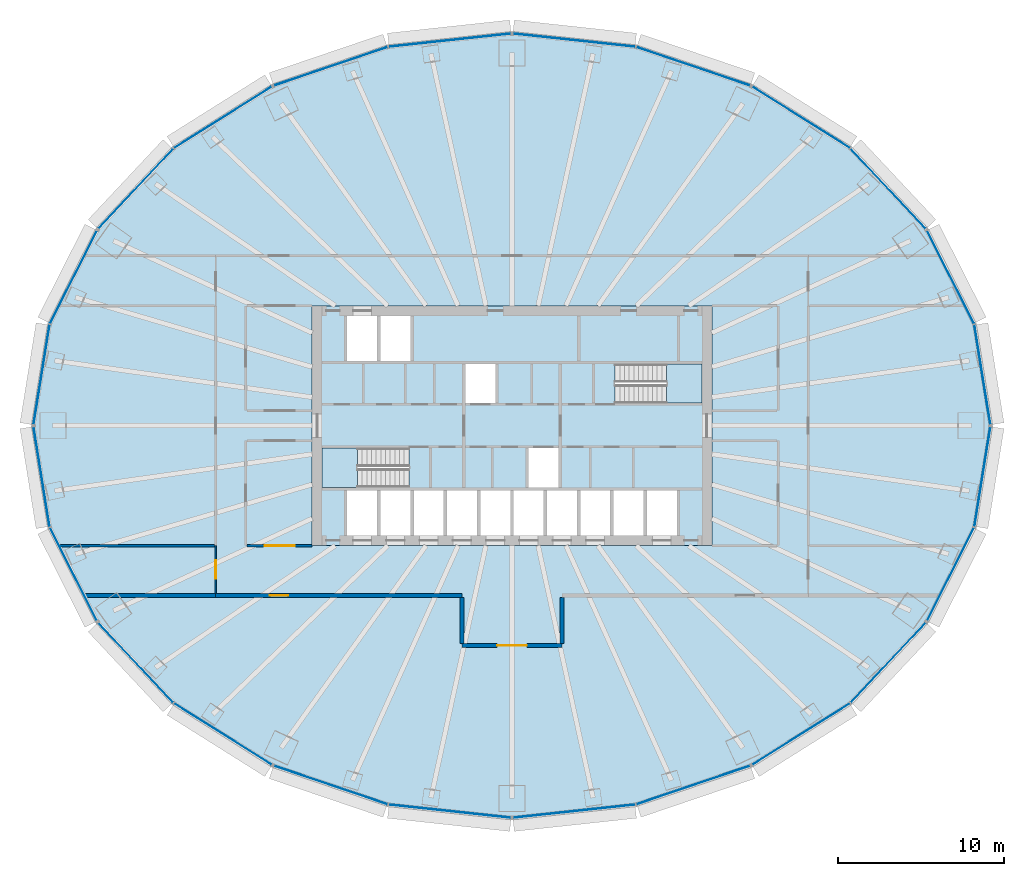
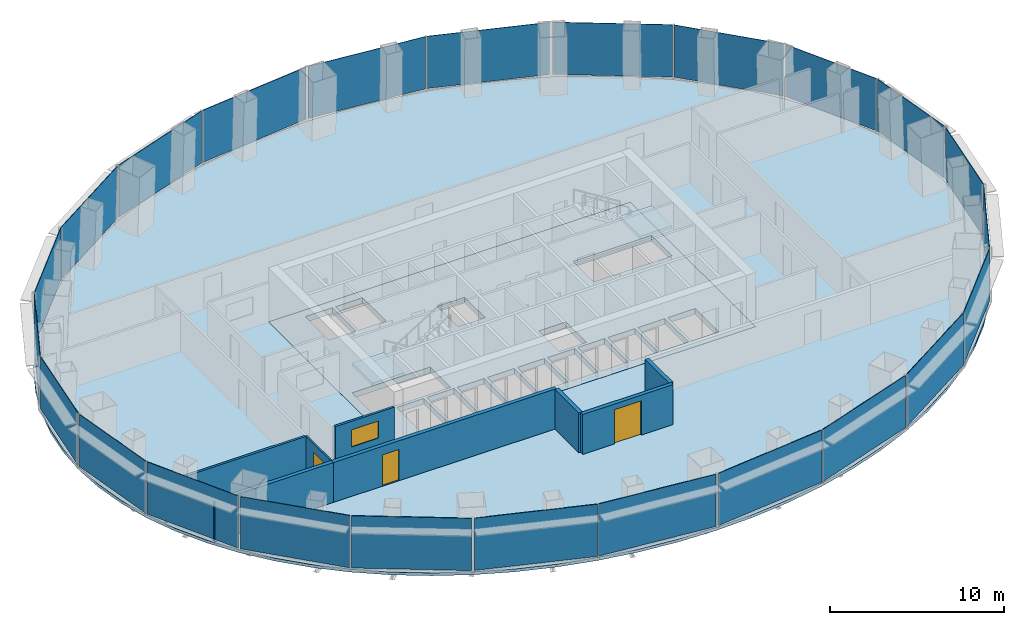
# One storey, part 6 of 13: 24 plates, 8 walls, 4 slabs, 3 doors, 1 window, 4 openings, 14 elements without a shape of their own.
"""IFC4 building model written with IfcOpenShell, lengths in metres."""

import ifcopenshell
import ifcopenshell.guid

model = None  # the IFC model being written
_history = None  # IfcOwnerHistory: only IFC2X3 demands one
_inside = {}  # id of a spatial element -> (the spatial element, [elements in it])
_under = {}  # id of a project, library or spatial element -> (it, [spatial elements below it])
_declared = {}  # id of a project -> (the project, [libraries it declares])
_typed = {}  # id of a type object -> (the type object, [elements of that type])
_made_of = {}  # id of a material, layer set ... -> (it, [elements and type objects made of it])


def new_model(schema):
    """Start an empty IFC model of exactly this schema.

    Asked for "IFC4X3", IfcOpenShell would pick the latest addendum, in which some entities
    have other attributes; the version numbers below select the first issue.
    IFC2X3 requires an IfcOwnerHistory on every rooted entity: one is made here for all.
    """
    global model, _history
    if schema == "IFC4X3":
        model = ifcopenshell.file(schema_version=(4, 3, 0, 0))
    else:
        model = ifcopenshell.file(schema=schema)
    _inside.clear()
    _under.clear()
    _declared.clear()
    _typed.clear()
    _made_of.clear()
    _history = None
    if model.schema == "IFC2X3":
        org = make("IfcOrganization", Name="unknown")
        user = make(
            "IfcPersonAndOrganization",
            ThePerson=make("IfcPerson", FamilyName="unknown"),
            TheOrganization=org,
        )
        app = make(
            "IfcApplication",
            ApplicationDeveloper=org,
            Version="unknown",
            ApplicationFullName="unknown",
            ApplicationIdentifier="unknown",
        )
        _history = make(
            "IfcOwnerHistory",
            OwningUser=user,
            OwningApplication=app,
            ChangeAction="ADDED",
            CreationDate=0,
        )
    return model


def make(cls, **values):
    """One entity of the class cls with the attributes given. An attribute that is None is left unset."""
    return model.create_entity(
        cls, **{name: value for name, value in values.items() if value is not None}
    )


def rooted(cls, **values):
    """An entity with a GlobalId (a new one), such as an element, a storey or a relation."""
    return make(cls, GlobalId=ifcopenshell.guid.new(), OwnerHistory=_history, **values)


def si_unit(unit_type, name, prefix=None):
    """IfcSIUnit, for example si_unit("LENGTHUNIT", "METRE", prefix="MILLI")."""
    return make("IfcSIUnit", UnitType=unit_type, Prefix=prefix, Name=name)


def assignment(units):
    """IfcUnitAssignment: the units of a project."""
    return None if units is None else make("IfcUnitAssignment", Units=units)


def point(xyz):
    """IfcCartesianPoint."""
    return None if xyz is None else make("IfcCartesianPoint", Coordinates=xyz)


def direction(xyz):
    """IfcDirection."""
    return None if xyz is None else make("IfcDirection", DirectionRatios=xyz)


def frame(location, z_axis=None, x_axis=None):
    """IfcAxis2Placement3D, a coordinate frame: its origin and axes. An axis left out is left unset."""
    return make(
        "IfcAxis2Placement3D",
        Location=point(location),
        Axis=direction(z_axis),
        RefDirection=direction(x_axis),
    )


def frame_2d(location, x_axis=None):
    """IfcAxis2Placement2D, a coordinate frame in the plane: its origin and x axis."""
    return make(
        "IfcAxis2Placement2D", Location=point(location), RefDirection=direction(x_axis)
    )


def origin():
    """The frame at (0, 0, 0) with its axes left unset."""
    return frame((0.0, 0.0, 0.0))


def origin_2d():
    """The frame at (0, 0) in the plane with its x axis left unset."""
    return frame_2d((0.0, 0.0))


def place(relative_to, where):
    """IfcLocalPlacement: puts the frame where relative to a parent placement (None: the world)."""
    return make(
        "IfcLocalPlacement", PlacementRelTo=relative_to, RelativePlacement=where
    )


def context(
    kind, dimensions, precision=None, world=None, true_north=None, identifier=None
):
    """IfcGeometricRepresentationContext, for example the 3D "Model" context."""
    return make(
        "IfcGeometricRepresentationContext",
        ContextIdentifier=identifier,
        ContextType=kind,
        CoordinateSpaceDimension=dimensions,
        Precision=precision,
        WorldCoordinateSystem=world,
        TrueNorth=true_north,
    )


def subcontext(parent, identifier, kind, view, scale=None):
    """IfcGeometricRepresentationSubContext, for example "Body" below "Model"."""
    return make(
        "IfcGeometricRepresentationSubContext",
        ContextIdentifier=identifier,
        ContextType=kind,
        ParentContext=parent,
        TargetScale=scale,
        TargetView=view,
    )


def project(units=None, contexts=None):
    """IfcProject with its units and contexts."""
    return rooted(
        "IfcProject",
        Name="project",
        RepresentationContexts=contexts,
        UnitsInContext=assignment(units),
    )


def spatial(cls, under=None, at=None, **own):
    """A site, building, storey or space (cls), placed at a placement, below another one or the project."""
    s = rooted(cls, ObjectPlacement=at, **own)
    if under is not None:
        _under.setdefault(under.id(), (under, []))[1].append(s)
    return s


def polyline(points):
    """IfcPolyline through the points."""
    return make("IfcPolyline", Points=[point(p) for p in points])


def profile(cls, at=None, kind="AREA", **sizes):
    """A parametric profile (cls). Its sizes go by their IFC names, for example OverallWidth=200.0."""
    return make(cls, ProfileType=kind, Position=at, **sizes)


def rectangle(**sizes):
    """IfcRectangleProfileDef."""
    return profile("IfcRectangleProfileDef", **sizes)


def outline(outer, holes=None, kind="AREA"):
    """IfcArbitraryClosedProfileDef: a profile drawn as a closed curve; with holes, ...WithVoids."""
    if holes is None:
        return make("IfcArbitraryClosedProfileDef", ProfileType=kind, OuterCurve=outer)
    return make(
        "IfcArbitraryProfileDefWithVoids",
        ProfileType=kind,
        OuterCurve=outer,
        InnerCurves=holes,
    )


def extrude(swept, where, along, depth):
    """IfcExtrudedAreaSolid: the profile swept, set in the frame where, extruded along a direction by depth."""
    return make(
        "IfcExtrudedAreaSolid",
        SweptArea=swept,
        Position=where,
        ExtrudedDirection=direction(along),
        Depth=depth,
    )


def shape(context_of_items, identifier, shape_type, items):
    """IfcShapeRepresentation: the items that make up one representation, for example the "Body"."""
    return make(
        "IfcShapeRepresentation",
        ContextOfItems=context_of_items,
        RepresentationIdentifier=identifier,
        RepresentationType=shape_type,
        Items=items,
    )


def material(Name=None, Category=None):
    """IfcMaterial."""
    return make("IfcMaterial", Name=Name, Category=Category)


def layer(
    of_material, thickness, ventilated=None, Name=None, Category=None, Priority=None
):
    """IfcMaterialLayer: one layer of a wall or slab, of a material (None: an air gap)."""
    return make(
        "IfcMaterialLayer",
        Material=of_material,
        LayerThickness=thickness,
        IsVentilated=ventilated,
        Name=Name,
        Category=Category,
        Priority=Priority,
    )


def layer_set(layers, Name=None):
    """IfcMaterialLayerSet."""
    return make("IfcMaterialLayerSet", MaterialLayers=layers, LayerSetName=Name)


def made_of(thing, what):
    """Note that an element or type object is made of a material, layer set ...; save() writes the relation."""
    if what is not None:
        _made_of.setdefault(what.id(), (what, []))[1].append(thing)
    return thing


def type_object(cls, material=None, **own):
    """A type object (cls), such as IfcWallType, which elements share."""
    return made_of(rooted(cls, **own), material)


def element(
    cls,
    number,
    at=None,
    inside=None,
    cuts=None,
    type_object=None,
    material=None,
    context=None,
    identifier="Body",
    shape_type=None,
    held_by="IfcProductDefinitionShape",
    body=None,
    shapes=None,
    **own,
):
    """One element of the class cls, such as IfcWall. Its Tag is "e" and its number.

    at: its placement. inside: the storey or other place that contains it. cuts: it is an
    opening in that element (IfcRelVoidsElement). A single representation is given by context,
    identifier, shape_type and body (its items); several are given by shapes. held_by: the class
    of the entity that holds the representations. save() writes the other relations.
    """
    e = rooted(cls, Tag="e%d" % number, ObjectPlacement=at, **own)
    if body is not None:
        shapes = [shape(context, identifier, shape_type, body)]
    if shapes is not None:
        e.Representation = make(held_by, Representations=shapes)
    if inside is not None:
        _inside.setdefault(inside.id(), (inside, []))[1].append(e)
    if cuts is not None:
        rooted(
            "IfcRelVoidsElement", RelatingBuildingElement=cuts, RelatedOpeningElement=e
        )
    if type_object is not None:
        _typed.setdefault(type_object.id(), (type_object, []))[1].append(e)
    return made_of(e, material)


def fill(opening, filler):
    """IfcRelFillsElement: the door or window that sits in an opening."""
    return rooted(
        "IfcRelFillsElement",
        RelatingOpeningElement=opening,
        RelatedBuildingElement=filler,
    )


def aggregate(whole, parts):
    """IfcRelAggregates: a whole, such as a stair, and the parts it consists of."""
    return rooted("IfcRelAggregates", RelatingObject=whole, RelatedObjects=parts)


def save(model, path):
    """Write the relations noted so far, then the file.

    IfcRelAggregates (storeys below a building ...), IfcRelContainedInSpatialStructure (elements
    in a storey), IfcRelDefinesByType, IfcRelAssociatesMaterial and IfcRelDeclares: one each for
    every whole, place, type object, material and project.
    """
    for whole, parts in _under.values():
        aggregate(whole, parts)
    for where, things in _inside.values():
        rooted(
            "IfcRelContainedInSpatialStructure",
            RelatedElements=things,
            RelatingStructure=where,
        )
    for kind, things in _typed.values():
        rooted("IfcRelDefinesByType", RelatedObjects=things, RelatingType=kind)
    for what, things in _made_of.values():
        rooted("IfcRelAssociatesMaterial", RelatedObjects=things, RelatingMaterial=what)
    for by, libraries in _declared.values():
        rooted("IfcRelDeclares", RelatingContext=by, RelatedDefinitions=libraries)
    model.write(path)


model = new_model("IFC4")

# Units and contexts
model_context = context("Model", 3, precision=1e-05, world=origin(), true_north=direction((0.0, 1.0)))
body_context = subcontext(model_context, "Body", "Model", "MODEL_VIEW")
ifc_project = project(units=[si_unit("LENGTHUNIT", "METRE"), si_unit("AREAUNIT", "SQUARE_METRE"), si_unit("VOLUMEUNIT", "CUBIC_METRE"), si_unit("PLANEANGLEUNIT", "RADIAN"), si_unit("MASSUNIT", "GRAM", prefix="KILO")], contexts=[model_context])

# Site, building, storey
site_placement = place(None, origin())
site = spatial("IfcSite", under=ifc_project, at=site_placement, CompositionType="ELEMENT")
building_placement = place(site_placement, origin())
building = spatial("IfcBuilding", under=site, at=building_placement, Name="Siaravel Broadcast Tower", CompositionType="ELEMENT")
storey_placement = place(building_placement, frame((0.0, 0.0, 24.5)))
storey = spatial("IfcBuildingStorey", under=building, at=storey_placement, Name="L04", CompositionType="ELEMENT", Elevation=24.5)

# Curtain wall, plates
ifc_material_1 = material(Name="Aluminium 6063-T6", Category="aluminium")
ifc_layer_1 = layer(ifc_material_1, 0.25)
ifc_layer_set_1 = layer_set([ifc_layer_1], Name="Aluminium 6063-T6")
curtain_wall_type = type_object("IfcCurtainWallType", Name="Podium newsroom glazing", PredefinedType="NOTDEFINED", material=ifc_layer_set_1)
curtain_wall_1_placement = place(storey_placement, origin())
curtain_wall_1 = element("IfcCurtainWall", 1, at=curtain_wall_1_placement, inside=storey, type_object=curtain_wall_type, Name="L04 Podium newsroom glazing 01", PredefinedType="NOTDEFINED")
ifc_material_2 = material(Name="Clear laminated glass", Category="glass")
ifc_layer_2 = layer(ifc_material_2, 0.035888671875)
ifc_layer_set_2 = layer_set([ifc_layer_2], Name="Clear laminated glass")
plate_type = type_object("IfcPlateType", Name="CW-PD glass panel", PredefinedType="CURTAIN_PANEL", material=ifc_layer_set_2)
plate_1_placement = place(storey_placement, frame((28.256103515625, 3.069580078125, 0.14013671875), z_axis=(0.0, 0.0, 1.0), x_axis=(-0.158686046, 0.987329093, 0.0)))
plate_1 = element("IfcPlate", 2, at=plate_1_placement, type_object=plate_type, Name="CW-PD glass panel", PredefinedType="CURTAIN_PANEL", context=body_context, shape_type="SweptSolid", body=[
    extrude(rectangle(XDim=6.05810546875, YDim=0.035888671875, at=origin_2d()), origin(), (0.0, 0.0, 1.0), 3.659912109375),
])
plate_2_placement = place(storey_placement, frame((26.34130859375, 8.923583984375, 0.14013671875), z_axis=(0.0, 0.0, 1.0), x_axis=(-0.451261943, 0.892391539, 0.0)))
plate_2 = element("IfcPlate", 3, at=plate_2_placement, type_object=plate_type, Name="CW-PD glass panel", PredefinedType="CURTAIN_PANEL", context=body_context, shape_type="SweptSolid", body=[
    extrude(rectangle(XDim=6.248291015625, YDim=0.035888671875, at=origin_2d()), origin(), (0.0, 0.0, 1.0), 3.659912109375),
])
aggregate(curtain_wall_1, [plate_1, plate_2])

curtain_wall_2_placement = place(storey_placement, origin())
curtain_wall_2 = element("IfcCurtainWall", 4, at=curtain_wall_2_placement, inside=storey, type_object=curtain_wall_type, Name="L04 Podium newsroom glazing 02", PredefinedType="NOTDEFINED")
plate_3_placement = place(storey_placement, frame((22.5966796875, 14.23681640625, 0.14013671875), z_axis=(0.0, 0.0, 1.0), x_axis=(-0.683655945, 0.729804459, 0.0)))
plate_3 = element("IfcPlate", 5, at=plate_3_placement, type_object=plate_type, Name="CW-PD glass panel", PredefinedType="CURTAIN_PANEL", context=body_context, shape_type="SweptSolid", body=[
    extrude(rectangle(XDim=6.564697265625, YDim=0.035888671875, at=origin_2d()), origin(), (0.0, 0.0, 1.0), 3.659912109375),
])
plate_4_placement = place(storey_placement, frame((17.364990234375, 18.52197265625, 0.14013671875), z_axis=(0.0, 0.0, 1.0), x_axis=(-0.846650982, 0.532148584, 0.0)))
plate_4 = element("IfcPlate", 6, at=plate_4_placement, type_object=plate_type, Name="CW-PD glass panel", PredefinedType="CURTAIN_PANEL", context=body_context, shape_type="SweptSolid", body=[
    extrude(rectangle(XDim=6.91259765625, YDim=0.035888671875, at=origin_2d()), origin(), (0.0, 0.0, 1.0), 3.659912109375),
])
aggregate(curtain_wall_2, [plate_3, plate_4])

curtain_wall_3_placement = place(storey_placement, origin())
curtain_wall_3 = element("IfcCurtainWall", 7, at=curtain_wall_3_placement, inside=storey, type_object=curtain_wall_type, Name="L04 Podium newsroom glazing 03", PredefinedType="NOTDEFINED")
plate_5_placement = place(storey_placement, frame((10.885986328125, 21.586181640625, 0.14013671875), z_axis=(0.0, 0.0, 1.0), x_axis=(-0.946977374, 0.321300254, 0.0)))
plate_5 = element("IfcPlate", 8, at=plate_5_placement, type_object=plate_type, Name="CW-PD glass panel", PredefinedType="CURTAIN_PANEL", context=body_context, shape_type="SweptSolid", body=[
    extrude(rectangle(XDim=7.20068359375, YDim=0.035888671875, at=origin_2d()), origin(), (0.0, 0.0, 1.0), 3.659912109375),
])
plate_6_placement = place(storey_placement, frame((3.7392578125, 23.15478515625, 0.14013671875), z_axis=(0.0, 0.0, 1.0), x_axis=(-0.994235603, 0.107217373, 0.0)))
plate_6 = element("IfcPlate", 9, at=plate_6_placement, type_object=plate_type, Name="CW-PD glass panel", PredefinedType="CURTAIN_PANEL", context=body_context, shape_type="SweptSolid", body=[
    extrude(rectangle(XDim=7.36181640625, YDim=0.035888671875, at=origin_2d()), origin(), (0.0, 0.0, 1.0), 3.659912109375),
])
aggregate(curtain_wall_3, [plate_5, plate_6])

curtain_wall_4_placement = place(storey_placement, origin())
curtain_wall_4 = element("IfcCurtainWall", 10, at=curtain_wall_4_placement, inside=storey, type_object=curtain_wall_type, Name="L04 Podium newsroom glazing 04", PredefinedType="NOTDEFINED")
plate_7_placement = place(storey_placement, frame((-3.7392578125, 23.15478515625, 0.14013671875), z_axis=(0.0, 0.0, 1.0), x_axis=(-0.994235603, -0.107217373, 0.0)))
plate_7 = element("IfcPlate", 11, at=plate_7_placement, type_object=plate_type, Name="CW-PD glass panel", PredefinedType="CURTAIN_PANEL", context=body_context, shape_type="SweptSolid", body=[
    extrude(rectangle(XDim=7.36181640625, YDim=0.035888671875, at=origin_2d()), origin(), (0.0, 0.0, 1.0), 3.659912109375),
])
plate_8_placement = place(storey_placement, frame((-10.885986328125, 21.586181640625, 0.14013671875), z_axis=(0.0, 0.0, 1.0), x_axis=(-0.946977374, -0.321300254, 0.0)))
plate_8 = element("IfcPlate", 12, at=plate_8_placement, type_object=plate_type, Name="CW-PD glass panel", PredefinedType="CURTAIN_PANEL", context=body_context, shape_type="SweptSolid", body=[
    extrude(rectangle(XDim=7.20068359375, YDim=0.035888671875, at=origin_2d()), origin(), (0.0, 0.0, 1.0), 3.659912109375),
])
aggregate(curtain_wall_4, [plate_7, plate_8])

curtain_wall_5_placement = place(storey_placement, origin())
curtain_wall_5 = element("IfcCurtainWall", 13, at=curtain_wall_5_placement, inside=storey, type_object=curtain_wall_type, Name="L04 Podium newsroom glazing 05", PredefinedType="NOTDEFINED")
plate_9_placement = place(storey_placement, frame((-17.364990234375, 18.52197265625, 0.14013671875), z_axis=(0.0, 0.0, 1.0), x_axis=(-0.846650982, -0.532148584, 0.0)))
plate_9 = element("IfcPlate", 14, at=plate_9_placement, type_object=plate_type, Name="CW-PD glass panel", PredefinedType="CURTAIN_PANEL", context=body_context, shape_type="SweptSolid", body=[
    extrude(rectangle(XDim=6.91259765625, YDim=0.035888671875, at=origin_2d()), origin(), (0.0, 0.0, 1.0), 3.659912109375),
])
plate_10_placement = place(storey_placement, frame((-22.5966796875, 14.23681640625, 0.14013671875), z_axis=(0.0, 0.0, 1.0), x_axis=(-0.683655945, -0.729804459, 0.0)))
plate_10 = element("IfcPlate", 15, at=plate_10_placement, type_object=plate_type, Name="CW-PD glass panel", PredefinedType="CURTAIN_PANEL", context=body_context, shape_type="SweptSolid", body=[
    extrude(rectangle(XDim=6.564697265625, YDim=0.035888671875, at=origin_2d()), origin(), (0.0, 0.0, 1.0), 3.659912109375),
])
aggregate(curtain_wall_5, [plate_9, plate_10])

curtain_wall_6_placement = place(storey_placement, origin())
curtain_wall_6 = element("IfcCurtainWall", 16, at=curtain_wall_6_placement, inside=storey, type_object=curtain_wall_type, Name="L04 Podium newsroom glazing 06", PredefinedType="NOTDEFINED")
plate_11_placement = place(storey_placement, frame((-26.34130859375, 8.923583984375, 0.14013671875), z_axis=(0.0, 0.0, 1.0), x_axis=(-0.451261943, -0.892391539, 0.0)))
plate_11 = element("IfcPlate", 17, at=plate_11_placement, type_object=plate_type, Name="CW-PD glass panel", PredefinedType="CURTAIN_PANEL", context=body_context, shape_type="SweptSolid", body=[
    extrude(rectangle(XDim=6.248291015625, YDim=0.035888671875, at=origin_2d()), origin(), (0.0, 0.0, 1.0), 3.659912109375),
])
plate_12_placement = place(storey_placement, frame((-28.256103515625, 3.069580078125, 0.14013671875), z_axis=(0.0, 0.0, 1.0), x_axis=(-0.158686046, -0.987329093, 0.0)))
plate_12 = element("IfcPlate", 18, at=plate_12_placement, type_object=plate_type, Name="CW-PD glass panel", PredefinedType="CURTAIN_PANEL", context=body_context, shape_type="SweptSolid", body=[
    extrude(rectangle(XDim=6.05810546875, YDim=0.035888671875, at=origin_2d()), origin(), (0.0, 0.0, 1.0), 3.659912109375),
])
aggregate(curtain_wall_6, [plate_11, plate_12])

curtain_wall_7_placement = place(storey_placement, origin())
curtain_wall_7 = element("IfcCurtainWall", 19, at=curtain_wall_7_placement, inside=storey, type_object=curtain_wall_type, Name="L04 Podium newsroom glazing 07", PredefinedType="NOTDEFINED")
plate_13_placement = place(storey_placement, frame((-28.256103515625, -3.069580078125, 0.14013671875), z_axis=(0.0, 0.0, 1.0), x_axis=(0.158686046, -0.987329093, 0.0)))
plate_13 = element("IfcPlate", 20, at=plate_13_placement, type_object=plate_type, Name="CW-PD glass panel", PredefinedType="CURTAIN_PANEL", context=body_context, shape_type="SweptSolid", body=[
    extrude(rectangle(XDim=6.05810546875, YDim=0.035888671875, at=origin_2d()), origin(), (0.0, 0.0, 1.0), 3.659912109375),
])
plate_14_placement = place(storey_placement, frame((-26.34130859375, -8.923583984375, 0.14013671875), z_axis=(0.0, 0.0, 1.0), x_axis=(0.451261943, -0.892391539, 0.0)))
plate_14 = element("IfcPlate", 21, at=plate_14_placement, type_object=plate_type, Name="CW-PD glass panel", PredefinedType="CURTAIN_PANEL", context=body_context, shape_type="SweptSolid", body=[
    extrude(rectangle(XDim=6.248291015625, YDim=0.035888671875, at=origin_2d()), origin(), (0.0, 0.0, 1.0), 3.659912109375),
])
aggregate(curtain_wall_7, [plate_13, plate_14])

curtain_wall_8_placement = place(storey_placement, origin())
curtain_wall_8 = element("IfcCurtainWall", 22, at=curtain_wall_8_placement, inside=storey, type_object=curtain_wall_type, Name="L04 Podium newsroom glazing 08", PredefinedType="NOTDEFINED")
plate_15_placement = place(storey_placement, frame((-22.5966796875, -14.23681640625, 0.14013671875), z_axis=(0.0, 0.0, 1.0), x_axis=(0.683655945, -0.729804459, 0.0)))
plate_15 = element("IfcPlate", 23, at=plate_15_placement, type_object=plate_type, Name="CW-PD glass panel", PredefinedType="CURTAIN_PANEL", context=body_context, shape_type="SweptSolid", body=[
    extrude(rectangle(XDim=6.564697265625, YDim=0.035888671875, at=origin_2d()), origin(), (0.0, 0.0, 1.0), 3.659912109375),
])
plate_16_placement = place(storey_placement, frame((-17.364990234375, -18.52197265625, 0.14013671875), z_axis=(0.0, 0.0, 1.0), x_axis=(0.846650982, -0.532148584, 0.0)))
plate_16 = element("IfcPlate", 24, at=plate_16_placement, type_object=plate_type, Name="CW-PD glass panel", PredefinedType="CURTAIN_PANEL", context=body_context, shape_type="SweptSolid", body=[
    extrude(rectangle(XDim=6.91259765625, YDim=0.035888671875, at=origin_2d()), origin(), (0.0, 0.0, 1.0), 3.659912109375),
])
aggregate(curtain_wall_8, [plate_15, plate_16])

curtain_wall_9_placement = place(storey_placement, origin())
curtain_wall_9 = element("IfcCurtainWall", 25, at=curtain_wall_9_placement, inside=storey, type_object=curtain_wall_type, Name="L04 Podium newsroom glazing 09", PredefinedType="NOTDEFINED")
plate_17_placement = place(storey_placement, frame((-10.885986328125, -21.586181640625, 0.14013671875), z_axis=(0.0, 0.0, 1.0), x_axis=(0.946977374, -0.321300254, 0.0)))
plate_17 = element("IfcPlate", 26, at=plate_17_placement, type_object=plate_type, Name="CW-PD glass panel", PredefinedType="CURTAIN_PANEL", context=body_context, shape_type="SweptSolid", body=[
    extrude(rectangle(XDim=7.20068359375, YDim=0.035888671875, at=origin_2d()), origin(), (0.0, 0.0, 1.0), 3.659912109375),
])
plate_18_placement = place(storey_placement, frame((-3.7392578125, -23.15478515625, 0.14013671875), z_axis=(0.0, 0.0, 1.0), x_axis=(0.994235603, -0.107217373, 0.0)))
plate_18 = element("IfcPlate", 27, at=plate_18_placement, type_object=plate_type, Name="CW-PD glass panel", PredefinedType="CURTAIN_PANEL", context=body_context, shape_type="SweptSolid", body=[
    extrude(rectangle(XDim=7.36181640625, YDim=0.035888671875, at=origin_2d()), origin(), (0.0, 0.0, 1.0), 3.659912109375),
])
aggregate(curtain_wall_9, [plate_17, plate_18])

curtain_wall_10_placement = place(storey_placement, origin())
curtain_wall_10 = element("IfcCurtainWall", 28, at=curtain_wall_10_placement, inside=storey, type_object=curtain_wall_type, Name="L04 Podium newsroom glazing 10", PredefinedType="NOTDEFINED")
plate_19_placement = place(storey_placement, frame((3.7392578125, -23.15478515625, 0.14013671875), z_axis=(0.0, 0.0, 1.0), x_axis=(0.994235603, 0.107217373, 0.0)))
plate_19 = element("IfcPlate", 29, at=plate_19_placement, type_object=plate_type, Name="CW-PD glass panel", PredefinedType="CURTAIN_PANEL", context=body_context, shape_type="SweptSolid", body=[
    extrude(rectangle(XDim=7.36181640625, YDim=0.035888671875, at=origin_2d()), origin(), (0.0, 0.0, 1.0), 3.659912109375),
])
plate_20_placement = place(storey_placement, frame((10.885986328125, -21.586181640625, 0.14013671875), z_axis=(0.0, 0.0, 1.0), x_axis=(0.946977374, 0.321300254, 0.0)))
plate_20 = element("IfcPlate", 30, at=plate_20_placement, type_object=plate_type, Name="CW-PD glass panel", PredefinedType="CURTAIN_PANEL", context=body_context, shape_type="SweptSolid", body=[
    extrude(rectangle(XDim=7.20068359375, YDim=0.035888671875, at=origin_2d()), origin(), (0.0, 0.0, 1.0), 3.659912109375),
])
aggregate(curtain_wall_10, [plate_19, plate_20])

curtain_wall_11_placement = place(storey_placement, origin())
curtain_wall_11 = element("IfcCurtainWall", 31, at=curtain_wall_11_placement, inside=storey, type_object=curtain_wall_type, Name="L04 Podium newsroom glazing 11", PredefinedType="NOTDEFINED")
plate_21_placement = place(storey_placement, frame((17.364990234375, -18.52197265625, 0.14013671875), z_axis=(0.0, 0.0, 1.0), x_axis=(0.846650982, 0.532148584, 0.0)))
plate_21 = element("IfcPlate", 32, at=plate_21_placement, type_object=plate_type, Name="CW-PD glass panel", PredefinedType="CURTAIN_PANEL", context=body_context, shape_type="SweptSolid", body=[
    extrude(rectangle(XDim=6.91259765625, YDim=0.035888671875, at=origin_2d()), origin(), (0.0, 0.0, 1.0), 3.659912109375),
])
plate_22_placement = place(storey_placement, frame((22.5966796875, -14.23681640625, 0.14013671875), z_axis=(0.0, 0.0, 1.0), x_axis=(0.683655945, 0.729804459, 0.0)))
plate_22 = element("IfcPlate", 33, at=plate_22_placement, type_object=plate_type, Name="CW-PD glass panel", PredefinedType="CURTAIN_PANEL", context=body_context, shape_type="SweptSolid", body=[
    extrude(rectangle(XDim=6.564697265625, YDim=0.035888671875, at=origin_2d()), origin(), (0.0, 0.0, 1.0), 3.659912109375),
])
aggregate(curtain_wall_11, [plate_21, plate_22])

curtain_wall_12_placement = place(storey_placement, origin())
curtain_wall_12 = element("IfcCurtainWall", 34, at=curtain_wall_12_placement, inside=storey, type_object=curtain_wall_type, Name="L04 Podium newsroom glazing 12", PredefinedType="NOTDEFINED")
plate_23_placement = place(storey_placement, frame((26.34130859375, -8.923583984375, 0.14013671875), z_axis=(0.0, 0.0, 1.0), x_axis=(0.451261943, 0.892391539, 0.0)))
plate_23 = element("IfcPlate", 35, at=plate_23_placement, type_object=plate_type, Name="CW-PD glass panel", PredefinedType="CURTAIN_PANEL", context=body_context, shape_type="SweptSolid", body=[
    extrude(rectangle(XDim=6.248291015625, YDim=0.035888671875, at=origin_2d()), origin(), (0.0, 0.0, 1.0), 3.659912109375),
])
plate_24_placement = place(storey_placement, frame((28.256103515625, -3.069580078125, 0.14013671875), z_axis=(0.0, 0.0, 1.0), x_axis=(0.158686046, 0.987329093, 0.0)))
plate_24 = element("IfcPlate", 36, at=plate_24_placement, type_object=plate_type, Name="CW-PD glass panel", PredefinedType="CURTAIN_PANEL", context=body_context, shape_type="SweptSolid", body=[
    extrude(rectangle(XDim=6.05810546875, YDim=0.035888671875, at=origin_2d()), origin(), (0.0, 0.0, 1.0), 3.659912109375),
])
aggregate(curtain_wall_12, [plate_23, plate_24])

# Slabs
ifc_material_3 = material(Name="Concrete C40/50", Category="concrete")
ifc_layer_3 = layer(ifc_material_3, 0.39990234375)
ifc_layer_set_3 = layer_set([ifc_layer_3], Name="Concrete C40/50")
slab_type_1 = type_object("IfcSlabType", Name="Core floor slab 400", PredefinedType="FLOOR", material=ifc_layer_set_3)
slab_1_placement = place(storey_placement, frame((0.0, 0.0, -0.39990234375)))
element("IfcSlab", 37, at=slab_1_placement, inside=storey, type_object=slab_type_1, Name="L04 core floor", PredefinedType="FLOOR", context=body_context, shape_type="SweptSolid", body=[
    extrude(outline(polyline([(-12.0, -7.199951171875), (-12.0, 7.199951171875), (12.0, 7.199951171875), (12.0, -7.199951171875), (-12.0, -7.199951171875)]), holes=[polyline([(11.3994140625, 1.3505859375), (11.3994140625, 3.699462890625), (6.200439453125, 3.699462890625), (6.200439453125, 1.3505859375), (11.3994140625, 1.3505859375)]), polyline([(9.89990234375, -3.89990234375), (8.10009765625, -3.89990234375), (8.10009765625, -6.60009765625), (9.89990234375, -6.60009765625), (9.89990234375, -3.89990234375)]), polyline([(7.89990234375, -3.89990234375), (6.10009765625, -3.89990234375), (6.10009765625, -6.60009765625), (7.89990234375, -6.60009765625), (7.89990234375, -3.89990234375)]), polyline([(5.89990234375, -3.89990234375), (4.10009765625, -3.89990234375), (4.10009765625, -6.60009765625), (5.89990234375, -6.60009765625), (5.89990234375, -3.89990234375)]), polyline([(3.89990234375, -3.89990234375), (2.10009765625, -3.89990234375), (2.10009765625, -6.60009765625), (3.89990234375, -6.60009765625), (3.89990234375, -3.89990234375)]), polyline([(2.800048828125, -1.35009765625), (1.0, -1.35009765625), (1.0, -3.699951171875), (2.800048828125, -3.699951171875), (2.800048828125, -1.35009765625)]), polyline([(1.89990234375, -3.89990234375), (0.10009765625, -3.89990234375), (0.10009765625, -6.60009765625), (1.89990234375, -6.60009765625), (1.89990234375, -3.89990234375)]), polyline([(-0.10009765625, -3.89990234375), (-1.89990234375, -3.89990234375), (-1.89990234375, -6.60009765625), (-0.10009765625, -6.60009765625), (-0.10009765625, -3.89990234375)]), polyline([(-1.0, 3.699951171875), (-2.800048828125, 3.699951171875), (-2.800048828125, 1.35009765625), (-1.0, 1.35009765625), (-1.0, 3.699951171875)]), polyline([(-2.10009765625, -3.89990234375), (-3.89990234375, -3.89990234375), (-3.89990234375, -6.60009765625), (-2.10009765625, -6.60009765625), (-2.10009765625, -3.89990234375)]), polyline([(-4.10009765625, -3.89990234375), (-5.89990234375, -3.89990234375), (-5.89990234375, -6.60009765625), (-4.10009765625, -6.60009765625), (-4.10009765625, -3.89990234375)]), polyline([(-6.10009765625, -3.89990234375), (-7.89990234375, -3.89990234375), (-7.89990234375, -6.60009765625), (-6.10009765625, -6.60009765625), (-6.10009765625, -3.89990234375)]), polyline([(-6.10009765625, 6.60009765625), (-7.89990234375, 6.60009765625), (-7.89990234375, 3.89990234375), (-6.10009765625, 3.89990234375), (-6.10009765625, 6.60009765625)]), polyline([(-11.3994140625, -1.3505859375), (-11.3994140625, -3.699462890625), (-6.200439453125, -3.699462890625), (-6.200439453125, -1.3505859375), (-11.3994140625, -1.3505859375)]), polyline([(-8.10009765625, -3.89990234375), (-9.89990234375, -3.89990234375), (-9.89990234375, -6.60009765625), (-8.10009765625, -6.60009765625), (-8.10009765625, -3.89990234375)]), polyline([(-8.10009765625, 6.60009765625), (-9.89990234375, 6.60009765625), (-9.89990234375, 3.89990234375), (-8.10009765625, 3.89990234375), (-8.10009765625, 6.60009765625)])]), origin(), (0.0, 0.0, 1.0), 0.39990234375),
])
ifc_layer_4 = layer(ifc_material_3, 0.199951171875)
ifc_layer_set_4 = layer_set([ifc_layer_4], Name="Concrete C40/50")
slab_type_2 = type_object("IfcSlabType", Name="SLB-FLOOR-200", PredefinedType="FLOOR", material=ifc_layer_set_4)
slab_2_placement = place(storey_placement, frame((0.0, 0.0, -0.199951171875)))
element("IfcSlab", 38, at=slab_2_placement, inside=storey, type_object=slab_type_2, Name="Floor slab", PredefinedType="FLOOR", context=body_context, shape_type="SweptSolid", body=[
    extrude(outline(polyline([(28.699462890625, 0.0), (28.59033203125, 2.048828125), (28.263427734375, 4.08203125), (27.7216796875, 6.084228515625), (26.96875, 8.040283203125), (26.010498046875, 9.93505859375), (24.8544921875, 11.75390625), (23.50927734375, 13.483642578125), (21.985107421875, 15.110595703125), (20.293701171875, 16.622802734375), (18.44775390625, 18.00830078125), (16.46142578125, 19.256591796875), (14.349853515625, 20.358642578125), (12.12890625, 21.3056640625), (9.81591796875, 22.09033203125), (7.427978515625, 22.70703125), (4.983642578125, 23.15087890625), (2.501220703125, 23.418701171875), (0.0, 23.508056640625), (-2.501220703125, 23.418701171875), (-4.983642578125, 23.15087890625), (-7.427978515625, 22.70703125), (-9.81591796875, 22.09033203125), (-12.12890625, 21.3056640625), (-14.349609375, 20.358642578125), (-16.46142578125, 19.256591796875), (-18.44775390625, 18.00830078125), (-20.293701171875, 16.622802734375), (-21.985107421875, 15.110595703125), (-23.50927734375, 13.483642578125), (-24.8544921875, 11.75390625), (-26.010498046875, 9.93505859375), (-26.96875, 8.040283203125), (-27.7216796875, 6.084228515625), (-28.263427734375, 4.08203125), (-28.59033203125, 2.048828125), (-28.699462890625, 0.0), (-28.59033203125, -2.048828125), (-28.263427734375, -4.08203125), (-27.7216796875, -6.084228515625), (-26.96875, -8.040283203125), (-26.010498046875, -9.93505859375), (-24.8544921875, -11.754150390625), (-23.50927734375, -13.483642578125), (-21.985107421875, -15.110595703125), (-20.293701171875, -16.622802734375), (-18.44775390625, -18.00830078125), (-16.46142578125, -19.256591796875), (-14.349853515625, -20.358642578125), (-12.12890625, -21.3056640625), (-9.81591796875, -22.09033203125), (-7.427978515625, -22.70703125), (-4.983642578125, -23.15087890625), (-2.501220703125, -23.418701171875), (0.0, -23.508056640625), (2.501220703125, -23.418701171875), (4.983642578125, -23.15087890625), (7.427978515625, -22.70703125), (9.81591796875, -22.09033203125), (12.12890625, -21.3056640625), (14.349853515625, -20.358642578125), (16.46142578125, -19.256591796875), (18.44775390625, -18.00830078125), (20.293701171875, -16.622802734375), (21.985107421875, -15.110595703125), (23.50927734375, -13.483642578125), (24.8544921875, -11.754150390625), (26.010498046875, -9.93505859375), (26.96875, -8.040283203125), (27.7216796875, -6.084228515625), (28.263427734375, -4.08203125), (28.59033203125, -2.048828125), (28.699462890625, 0.0)]), holes=[polyline([(-12.0, 7.199951171875), (12.0, 7.199951171875), (12.0, -7.199951171875), (-12.0, -7.199951171875), (-12.0, 7.199951171875)])]), origin(), (0.0, 0.0, 1.0), 0.199951171875),
])

# Stair, slab
stair_type = type_object("IfcStairType", Name="Core exit stair", PredefinedType="HALF_TURN_STAIR", material=ifc_material_3)
stair_1_placement = place(storey_placement, origin())
stair_1 = element("IfcStair", 39, at=stair_1_placement, inside=storey, type_object=stair_type, Name="L04 Exit stair ST-1", PredefinedType="HALF_TURN_STAIR")
ifc_layer_5 = layer(ifc_material_3, 0.199951171875)
ifc_layer_set_5 = layer_set([ifc_layer_5], Name="Concrete C40/50")
slab_type_3 = type_object("IfcSlabType", Name="Stair landing", PredefinedType="LANDING", material=ifc_layer_set_5)
slab_3_placement = place(storey_placement, frame((0.0, 0.0, 1.89990234375)))
slab_3 = element("IfcSlab", 40, at=slab_3_placement, type_object=slab_type_3, Name="ST-1 landing 1", PredefinedType="LANDING", context=body_context, shape_type="SweptSolid", body=[
    extrude(outline(polyline([(-9.280029296875, -1.35009765625), (-11.39990234375, -1.35009765625), (-11.39990234375, -3.699951171875), (-9.280029296875, -3.699951171875), (-9.280029296875, -1.35009765625)])), origin(), (0.0, 0.0, 1.0), 0.2001953125),
])
aggregate(stair_1, [slab_3])

stair_2_placement = place(storey_placement, origin())
stair_2 = element("IfcStair", 41, at=stair_2_placement, inside=storey, type_object=stair_type, Name="L04 Exit stair ST-2", PredefinedType="HALF_TURN_STAIR")
slab_4_placement = place(storey_placement, frame((0.0, 0.0, 1.89990234375)))
slab_4 = element("IfcSlab", 42, at=slab_4_placement, type_object=slab_type_3, Name="ST-2 landing 1", PredefinedType="LANDING", context=body_context, shape_type="SweptSolid", body=[
    extrude(outline(polyline([(9.280029296875, 1.35009765625), (11.39990234375, 1.35009765625), (11.39990234375, 3.699951171875), (9.280029296875, 3.699951171875), (9.280029296875, 1.35009765625)])), origin(), (0.0, 0.0, 1.0), 0.2001953125),
])
aggregate(stair_2, [slab_4])

# Wall, opening, window
ifc_material_4 = material(Name="Gypsum board partition", Category="gypsum")
ifc_layer_6 = layer(ifc_material_4, 0.14990234375)
ifc_layer_set_6 = layer_set([ifc_layer_6], Name="Gypsum board partition")
wall_type_1 = type_object("IfcWallType", Name="Corridor wall 150", PredefinedType="PARTITIONING", material=ifc_layer_set_6)
wall_1_placement = place(storey_placement, frame((-12.0, -7.199951171875, 0.0), z_axis=(0.0, 0.0, 1.0), x_axis=(-1.0, 0.0, 0.0)))
wall_1 = element("IfcWall", 43, at=wall_1_placement, inside=storey, type_object=wall_type_1, Name="L04 partition 21", PredefinedType="PARTITIONING", context=body_context, shape_type="SweptSolid", body=[
    extrude(rectangle(XDim=3.923095703125, YDim=0.14990234375, at=frame_2d((1.96142578125, 0.0))), origin(), (0.0, 0.0, 1.0), 2.800048828125),
])
opening_1_placement = place(wall_1_placement, frame((1.0615234375, 0.0, 1.0)))
opening_1 = element("IfcOpeningElement", 44, at=opening_1_placement, cuts=wall_1, Name="Opening L04-W03", PredefinedType="OPENING", context=body_context, shape_type="SweptSolid", body=[
    extrude(rectangle(XDim=1.800048828125, YDim=1.199951171875, at=frame_2d((0.89990234375, 0.60009765625))), frame((0.0, 0.0849609375, 0.0), z_axis=(0.0, -1.0, 0.0), x_axis=(1.0, 0.0, 0.0)), (0.0, 0.0, 1.0), 0.169921875),
])
ifc_material_5 = material(Name="Laminated acoustic glass", Category="glass")
window_type = type_object("IfcWindowType", Name="Observation window 1800", PartitioningType="SINGLE_PANEL", PredefinedType="WINDOW", material=ifc_material_5)
window_placement = place(opening_1_placement, origin())
window = element("IfcWindow", 45, at=window_placement, inside=storey, type_object=window_type, Name="L04 observation window 3", OverallHeight=1.199951171875, OverallWidth=1.800048828125, PartitioningType="SINGLE_PANEL", PredefinedType="WINDOW", context=body_context, shape_type="SweptSolid", body=[
    extrude(rectangle(XDim=1.800048828125, YDim=1.199951171875, at=frame_2d((0.89990234375, 0.60009765625))), frame((0.0, 0.030029296875, 0.0), z_axis=(0.0, -1.0, 0.0), x_axis=(1.0, 0.0, 0.0)), (0.0, 0.0, 1.0), 0.06005859375),
])
fill(opening_1, window)

# Wall, opening, door
ifc_material_6 = material(Name="Glazed aluminium partition", Category="aluminium")
ifc_layer_7 = layer(ifc_material_6, 0.10009765625)
ifc_layer_set_7 = layer_set([ifc_layer_7], Name="Glazed aluminium partition")
wall_type_2 = type_object("IfcWallType", Name="Glazed meeting room partition 100", PredefinedType="PARTITIONING", material=ifc_layer_set_7)
wall_2_placement = place(storey_placement, frame((-17.800048828125, -7.200927734375, 0.0), z_axis=(0.0, 0.0, 1.0), x_axis=(0.0, -1.0, 0.0)))
wall_2 = element("IfcWall", 46, at=wall_2_placement, inside=storey, type_object=wall_type_2, Name="L04 partition 29", PredefinedType="PARTITIONING", context=body_context, shape_type="SweptSolid", body=[
    extrude(rectangle(XDim=2.873291015625, YDim=0.10009765625, at=frame_2d((1.4365234375, 0.0))), origin(), (0.0, 0.0, 1.0), 2.800048828125),
])
opening_2_placement = place(wall_2_placement, frame((0.88671875, 0.0, 0.0)))
opening_2 = element("IfcOpeningElement", 47, at=opening_2_placement, cuts=wall_2, Name="Opening L04-006", PredefinedType="OPENING", context=body_context, shape_type="SweptSolid", body=[
    extrude(rectangle(XDim=1.10009765625, YDim=2.199951171875, at=frame_2d((0.550048828125, 1.10009765625))), frame((0.0, 0.06005859375, 0.0), z_axis=(0.0, -1.0, 0.0), x_axis=(1.0, 0.0, 0.0)), (0.0, 0.0, 1.0), 0.1201171875),
])
ifc_material_7 = material(Name="Timber veneer", Category="wood")
door_type_1 = type_object("IfcDoorType", Name="Meeting room door 1100", OperationType="SINGLE_SWING_LEFT", PredefinedType="DOOR", material=ifc_material_7)
door_1_placement = place(opening_2_placement, origin())
door_1 = element("IfcDoor", 48, at=door_1_placement, inside=storey, type_object=door_type_1, Name="L04 door to Meeting room", OperationType="SINGLE_SWING_RIGHT", OverallHeight=2.199951171875, OverallWidth=1.10009765625, PredefinedType="DOOR", context=body_context, shape_type="SweptSolid", body=[
    extrude(rectangle(XDim=1.10009765625, YDim=2.199951171875, at=frame_2d((0.550048828125, 1.10009765625))), frame((0.0, 0.02490234375, 0.0), z_axis=(0.0, -1.0, 0.0), x_axis=(1.0, 0.0, 0.0)), (0.0, 0.0, 1.0), 0.050048828125),
])
fill(opening_2, door_1)

# Wall
ifc_layer_8 = layer(ifc_material_4, 0.14990234375)
ifc_layer_set_8 = layer_set([ifc_layer_8], Name="Gypsum board partition")
wall_type_3 = type_object("IfcWallType", Name="Room partition 150", PredefinedType="PARTITIONING", material=ifc_layer_set_8)
wall_3_placement = place(storey_placement, frame((-17.876953125, -7.199951171875, 0.0), z_axis=(0.0, 0.0, 1.0), x_axis=(-1.0, 0.0, 0.0)))
element("IfcWall", 49, at=wall_3_placement, inside=storey, type_object=wall_type_3, Name="L04 partition 6", PredefinedType="PARTITIONING", context=body_context, shape_type="SweptSolid", body=[
    extrude(rectangle(XDim=9.285888671875, YDim=0.14990234375, at=frame_2d((4.64306640625, 0.0))), origin(), (0.0, 0.0, 1.0), 2.800048828125),
])

# Wall, opening, door
ifc_material_8 = material(Name="Concrete blockwork", Category="masonry")
ifc_layer_9 = layer(ifc_material_8, 0.25)
ifc_layer_set_9 = layer_set([ifc_layer_9], Name="Concrete blockwork")
wall_type_4 = type_object("IfcWallType", Name="Studio wall 250", PredefinedType="PARTITIONING", material=ifc_layer_set_9)
wall_4_placement = place(storey_placement, frame((-17.81201171875, -10.199951171875, 0.0), z_axis=(0.0, 0.0, 1.0), x_axis=(1.0, 0.0, 0.0)))
wall_4 = element("IfcWall", 50, at=wall_4_placement, inside=storey, type_object=wall_type_4, Name="L04 partition 2", PredefinedType="PARTITIONING", context=body_context, shape_type="SweptSolid", body=[
    extrude(rectangle(XDim=14.81201171875, YDim=0.25, at=frame_2d((7.406005859375, 0.0))), origin(), (0.0, 0.0, 1.0), 2.800048828125),
])
opening_3_placement = place(wall_4_placement, frame((3.261962890625, 0.0, 0.0)))
opening_3 = element("IfcOpeningElement", 51, at=opening_3_placement, cuts=wall_4, Name="Opening L04-013", PredefinedType="OPENING", context=body_context, shape_type="SweptSolid", body=[
    extrude(rectangle(XDim=1.10009765625, YDim=2.199951171875, at=frame_2d((0.550048828125, 1.10009765625))), frame((0.0, 0.135009765625, 0.0), z_axis=(0.0, -1.0, 0.0), x_axis=(1.0, 0.0, 0.0)), (0.0, 0.0, 1.0), 0.27001953125),
])
ifc_material_9 = material(Name="Acoustic timber and steel", Category="steel")
door_type_2 = type_object("IfcDoorType", Name="Studio emergency exit door 1100", OperationType="SINGLE_SWING_LEFT", PredefinedType="DOOR", material=ifc_material_9)
door_2_placement = place(opening_3_placement, origin())
door_2 = element("IfcDoor", 52, at=door_2_placement, inside=storey, type_object=door_type_2, Name="L04 door to News studio", OperationType="SINGLE_SWING_LEFT", OverallHeight=2.199951171875, OverallWidth=1.10009765625, PredefinedType="DOOR", context=body_context, shape_type="SweptSolid", body=[
    extrude(rectangle(XDim=1.10009765625, YDim=2.199951171875, at=frame_2d((0.550048828125, 1.10009765625))), frame((0.0, 0.02490234375, 0.0), z_axis=(0.0, -1.0, 0.0), x_axis=(1.0, 0.0, 0.0)), (0.0, 0.0, 1.0), 0.050048828125),
])
fill(opening_3, door_2)

# Wall
wall_5_placement = place(storey_placement, frame((-17.81298828125, -10.199951171875, 0.0), z_axis=(0.0, 0.0, 1.0), x_axis=(-1.0, 0.0, 0.0)))
element("IfcWall", 53, at=wall_5_placement, inside=storey, type_object=wall_type_4, Name="L04 partition 11", PredefinedType="PARTITIONING", context=body_context, shape_type="SweptSolid", body=[
    extrude(rectangle(XDim=7.88720703125, YDim=0.25, at=frame_2d((3.943603515625, 0.0))), origin(), (0.0, 0.0, 1.0), 2.800048828125),
])

# Wall, opening, door
wall_6_placement = place(storey_placement, frame((-3.0, -13.199951171875, 0.0), z_axis=(0.0, 0.0, 1.0), x_axis=(1.0, 0.0, 0.0)))
wall_6 = element("IfcWall", 54, at=wall_6_placement, inside=storey, type_object=wall_type_4, Name="L04 partition 18", PredefinedType="PARTITIONING", context=body_context, shape_type="SweptSolid", body=[
    extrude(rectangle(XDim=6.0, YDim=0.25, at=frame_2d((3.0, 0.0))), origin(), (0.0, 0.0, 1.0), 2.800048828125),
])
opening_4_placement = place(wall_6_placement, frame((2.10009765625, 0.0, 0.0)))
opening_4 = element("IfcOpeningElement", 55, at=opening_4_placement, cuts=wall_6, Name="Opening L04-012", PredefinedType="OPENING", context=body_context, shape_type="SweptSolid", body=[
    extrude(rectangle(XDim=1.800048828125, YDim=2.39990234375, at=frame_2d((0.89990234375, 1.199951171875))), frame((0.0, 0.135009765625, 0.0), z_axis=(0.0, -1.0, 0.0), x_axis=(1.0, 0.0, 0.0)), (0.0, 0.0, 1.0), 0.27001953125),
])
door_type_3 = type_object("IfcDoorType", Name="Studio sound door 1800", OperationType="DOUBLE_DOOR_SINGLE_SWING", PredefinedType="DOOR", material=ifc_material_9)
door_3_placement = place(opening_4_placement, origin())
door_3 = element("IfcDoor", 56, at=door_3_placement, inside=storey, type_object=door_type_3, Name="L04 door to News studio", OperationType="DOUBLE_DOOR_SINGLE_SWING", OverallHeight=2.39990234375, OverallWidth=1.800048828125, PredefinedType="DOOR", context=body_context, shape_type="SweptSolid", body=[
    extrude(rectangle(XDim=1.800048828125, YDim=2.39990234375, at=frame_2d((0.89990234375, 1.199951171875))), frame((0.0, 0.02490234375, 0.0), z_axis=(0.0, -1.0, 0.0), x_axis=(1.0, 0.0, 0.0)), (0.0, 0.0, 1.0), 0.050048828125),
])
fill(opening_4, door_3)

# Walls
for number, where, z_axis, x_axis, name in (
    (57, (-3.0, -10.326904296875, 0.0), (0.0, 0.0, 1.0), (0.0, -1.0, 0.0), "L04 partition 27"),
    (58, (3.0, -13.072998046875, 0.0), (0.0, 0.0, 1.0), (0.0, 1.0, 0.0), "L04 partition 28"),
):
    element("IfcWall", number, at=place(storey_placement, frame(where, z_axis=z_axis, x_axis=x_axis)), inside=storey, type_object=wall_type_4, Name=name, PredefinedType="PARTITIONING", context=body_context, shape_type="SweptSolid", body=[
        extrude(rectangle(XDim=2.74609375, YDim=0.25, at=frame_2d((1.373046875, 0.0))), origin(), (0.0, 0.0, 1.0), 2.800048828125),
    ])

save(model, "model.ifc")
